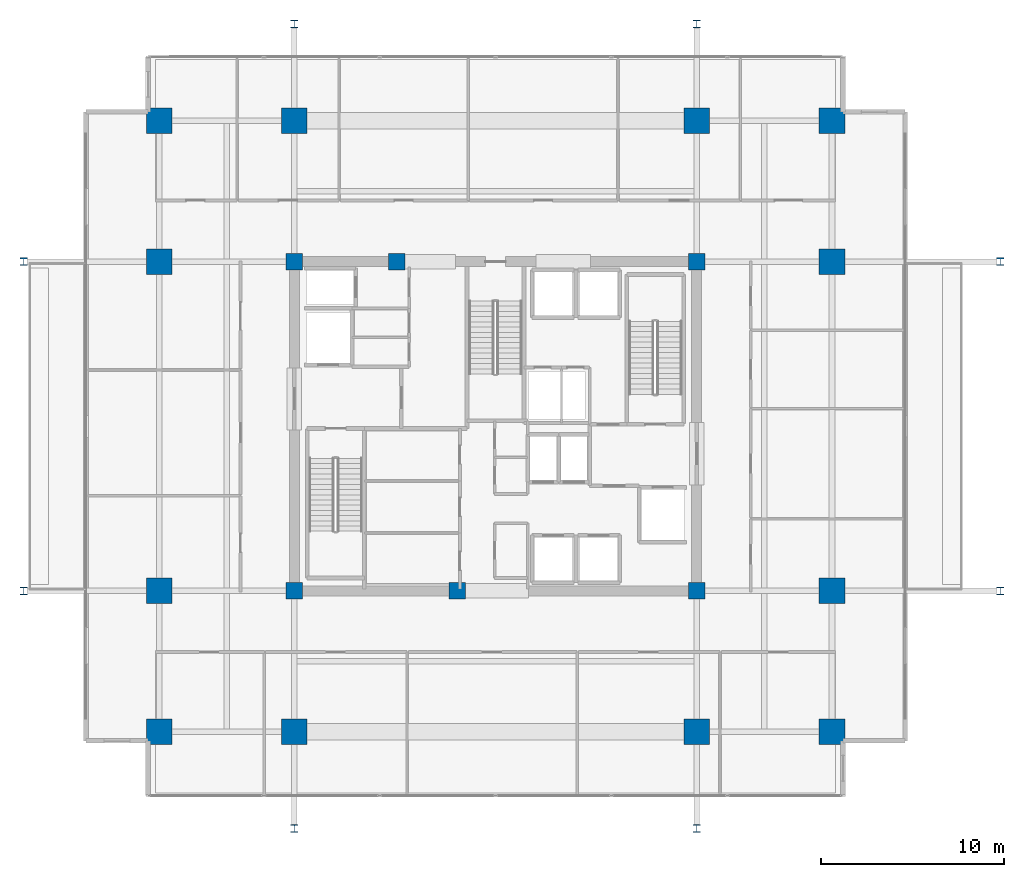
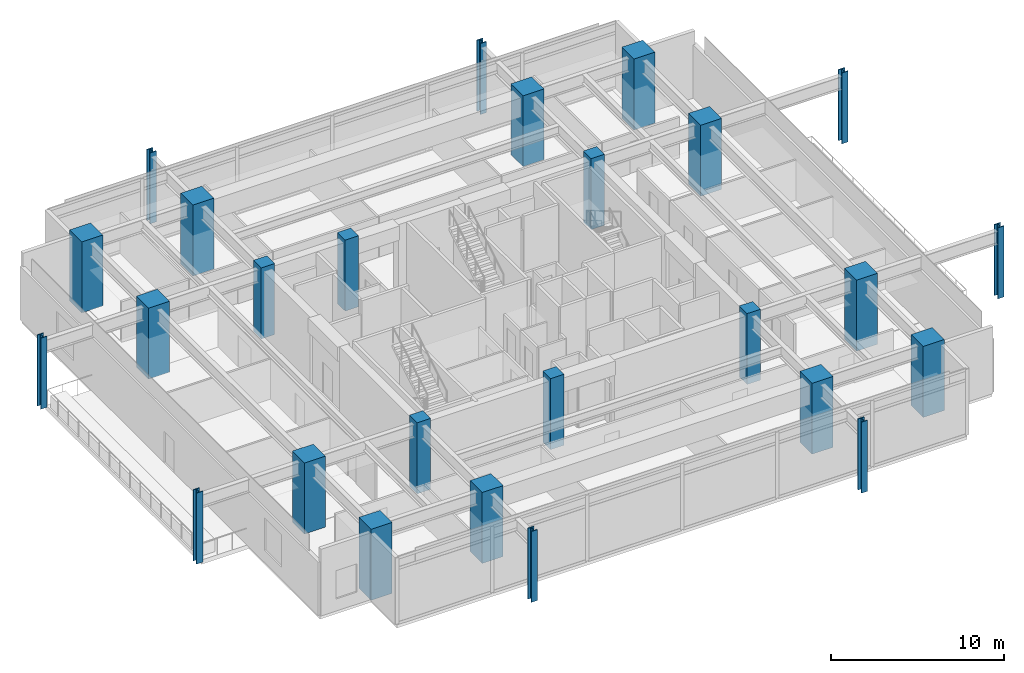
# One storey, part 1 of 19: 26 columns.
"""IFC4 building model written with IfcOpenShell, lengths in metres."""

from ifc_helpers import new_model, si_unit, direction, frame, origin, origin_2d, place, context, subcontext, project, spatial, rectangle, i_section, extrude, material, material_profile, profile_set, type_object, element, save


model = new_model("IFC4")

# Units and contexts
model_context = context("Model", 3, precision=1e-05, world=origin(), true_north=direction((0.0, 1.0)))
body_context = subcontext(model_context, "Body", "Model", "MODEL_VIEW")
ifc_project = project(units=[si_unit("LENGTHUNIT", "METRE"), si_unit("AREAUNIT", "SQUARE_METRE"), si_unit("VOLUMEUNIT", "CUBIC_METRE"), si_unit("PLANEANGLEUNIT", "RADIAN"), si_unit("MASSUNIT", "GRAM", prefix="KILO")], contexts=[model_context])

# Site, building, storey
site_placement = place(None, origin())
site = spatial("IfcSite", under=ifc_project, at=site_placement, CompositionType="ELEMENT")
building_placement = place(site_placement, origin())
building = spatial("IfcBuilding", under=site, at=building_placement, Name="Kovane Verandah Tower", CompositionType="ELEMENT")
storey_placement = place(building_placement, frame((0.0, 0.0, 184.39990234375)))
storey = spatial("IfcBuildingStorey", under=building, at=storey_placement, Name="L43", CompositionType="ELEMENT", Elevation=184.39990234375)

# Columns
ifc_material_1 = material(Name="Concrete C60/75", Category="concrete")
ifc_material_profile_1 = material_profile(ifc_material_1, rectangle(XDim=1.39990234375, YDim=1.39990234375, at=origin_2d()), Name="RC1400x1400")
ifc_profile_set_1 = profile_set([ifc_material_profile_1], Name="Concrete C60/75")
column_type_1 = type_object("IfcColumnType", Name="COL-RC1400", PredefinedType="COLUMN", material=ifc_profile_set_1)
for number, where, z_axis, x_axis, name in (
    (1, (29.0, 10.800048828125, 0.0), (0.0, 0.0, 1.0), (1.0, 0.0, 0.0), "L43 Tower Mega-Column MC-S1"),
    (2, (51.0, 10.800048828125, 0.0), (0.0, 0.0, 1.0), (1.0, 0.0, 0.0), "L43 Tower Mega-Column MC-S2"),
    (3, (29.0, 44.199951171875, 0.0), (0.0, 0.0, 1.0), (1.0, 0.0, 0.0), "L43 Tower Mega-Column MC-N1"),
    (4, (51.0, 44.199951171875, 0.0), (0.0, 0.0, 1.0), (1.0, 0.0, 0.0), "L43 Tower Mega-Column MC-N2"),
    (5, (21.60009765625, 18.5, 0.0), (0.0, 0.0, 1.0), (1.0, 0.0, 0.0), "L43 Tower Mega-Column MC-W1"),
    (6, (21.60009765625, 36.5, 0.0), (0.0, 0.0, 1.0), (1.0, 0.0, 0.0), "L43 Tower Mega-Column MC-W2"),
    (7, (58.39990234375, 18.5, 0.0), (0.0, 0.0, 1.0), (1.0, 0.0, 0.0), "L43 Tower Mega-Column MC-E1"),
    (8, (58.39990234375, 36.5, 0.0), (0.0, 0.0, 1.0), (1.0, 0.0, 0.0), "L43 Tower Mega-Column MC-E2"),
    (9, (21.60009765625, 10.800048828125, 0.0), (0.0, 0.0, 1.0), (1.0, 0.0, 0.0), "L43 Tower Mega-Column MC-SW"),
    (10, (58.39990234375, 10.800048828125, 0.0), (0.0, 0.0, 1.0), (1.0, 0.0, 0.0), "L43 Tower Mega-Column MC-SE"),
    (11, (21.60009765625, 44.199951171875, 0.0), (0.0, 0.0, 1.0), (1.0, 0.0, 0.0), "L43 Tower Mega-Column MC-NW"),
    (12, (58.39990234375, 44.199951171875, 0.0), (0.0, 0.0, 1.0), (1.0, 0.0, 0.0), "L43 Tower Mega-Column MC-NE"),
):
    element("IfcColumn", number, at=place(storey_placement, frame(where, z_axis=z_axis, x_axis=x_axis)), inside=storey, type_object=column_type_1, Name=name, PredefinedType="COLUMN", context=body_context, shape_type="SweptSolid", body=[
        extrude(rectangle(XDim=1.39990234375, YDim=1.39990234375, at=origin_2d()), origin(), (0.0, 0.0, 1.0), 5.0),
    ])
ifc_material_2 = material(Name="Steel S460", Category="steel")
ifc_material_profile_2 = material_profile(ifc_material_2, i_section(OverallWidth=0.412109375, OverallDepth=0.4365234375, WebThickness=0.035888671875, FlangeThickness=0.05810546875, FilletRadius=0.01513671875, at=origin_2d()), Name="UC356x406x467")
ifc_profile_set_2 = profile_set([ifc_material_profile_2], Name="Steel S460")
column_type_2 = type_object("IfcColumnType", Name="COL-UC467", PredefinedType="COLUMN", material=ifc_profile_set_2)
for number, where, z_axis, x_axis, name in (
    (13, (14.199951171875, 18.5, 0.0), (0.0, 0.0, 1.0), (1.0, 0.0, 0.0), "L43 Verandah Perimeter Column VC-W1"),
    (14, (14.199951171875, 36.5, 0.0), (0.0, 0.0, 1.0), (1.0, 0.0, 0.0), "L43 Verandah Perimeter Column VC-W2"),
    (15, (67.60009765625, 18.5, 0.0), (0.0, 0.0, 1.0), (1.0, 0.0, 0.0), "L43 Verandah Perimeter Column VC-E1"),
    (16, (67.60009765625, 36.5, 0.0), (0.0, 0.0, 1.0), (1.0, 0.0, 0.0), "L43 Verandah Perimeter Column VC-E2"),
    (17, (29.0, 5.5, 0.0), (0.0, 0.0, 1.0), (1.0, 0.0, 0.0), "L43 Verandah Perimeter Column VC-S1"),
    (18, (51.0, 5.5, 0.0), (0.0, 0.0, 1.0), (1.0, 0.0, 0.0), "L43 Verandah Perimeter Column VC-S2"),
    (19, (29.0, 49.5, 0.0), (0.0, 0.0, 1.0), (1.0, 0.0, 0.0), "L43 Verandah Perimeter Column VC-N1"),
    (20, (51.0, 49.5, 0.0), (0.0, 0.0, 1.0), (1.0, 0.0, 0.0), "L43 Verandah Perimeter Column VC-N2"),
):
    element("IfcColumn", number, at=place(storey_placement, frame(where, z_axis=z_axis, x_axis=x_axis)), inside=storey, type_object=column_type_2, Name=name, PredefinedType="COLUMN", context=body_context, shape_type="SweptSolid", body=[
        extrude(i_section(OverallWidth=0.412109375, OverallDepth=0.4365234375, WebThickness=0.035888671875, FlangeThickness=0.05810546875, FilletRadius=0.01513671875, at=origin_2d()), origin(), (0.0, 0.0, 1.0), 5.0),
    ])
ifc_material_profile_3 = material_profile(ifc_material_1, rectangle(XDim=0.89990234375, YDim=0.89990234375, at=origin_2d()), Name="RC900x900")
ifc_profile_set_3 = profile_set([ifc_material_profile_3], Name="Concrete C60/75")
column_type_3 = type_object("IfcColumnType", Name="PIL-RC900", PredefinedType="PILASTER", material=ifc_profile_set_3)
for number, where, z_axis, x_axis, name in (
    (21, (29.0, 18.5, 0.0), (0.0, 0.0, 1.0), (1.0, 0.0, 0.0), "L43 Core Pilaster CP-SW"),
    (22, (51.0, 18.5, 0.0), (0.0, 0.0, 1.0), (1.0, 0.0, 0.0), "L43 Core Pilaster CP-SE"),
    (23, (29.0, 36.5, 0.0), (0.0, 0.0, 1.0), (1.0, 0.0, 0.0), "L43 Core Pilaster CP-NW"),
    (24, (51.0, 36.5, 0.0), (0.0, 0.0, 1.0), (1.0, 0.0, 0.0), "L43 Core Pilaster CP-NE"),
    (25, (37.89990234375, 18.5, 0.0), (0.0, 0.0, 1.0), (1.0, 0.0, 0.0), "L43 Core Pilaster CP-S"),
    (26, (34.60009765625, 36.5, 0.0), (0.0, 0.0, 1.0), (1.0, 0.0, 0.0), "L43 Core Pilaster CP-N"),
):
    element("IfcColumn", number, at=place(storey_placement, frame(where, z_axis=z_axis, x_axis=x_axis)), inside=storey, type_object=column_type_3, Name=name, PredefinedType="PILASTER", context=body_context, shape_type="SweptSolid", body=[
        extrude(rectangle(XDim=0.89990234375, YDim=0.89990234375, at=origin_2d()), origin(), (0.0, 0.0, 1.0), 5.0),
    ])

save(model, "model.ifc")
